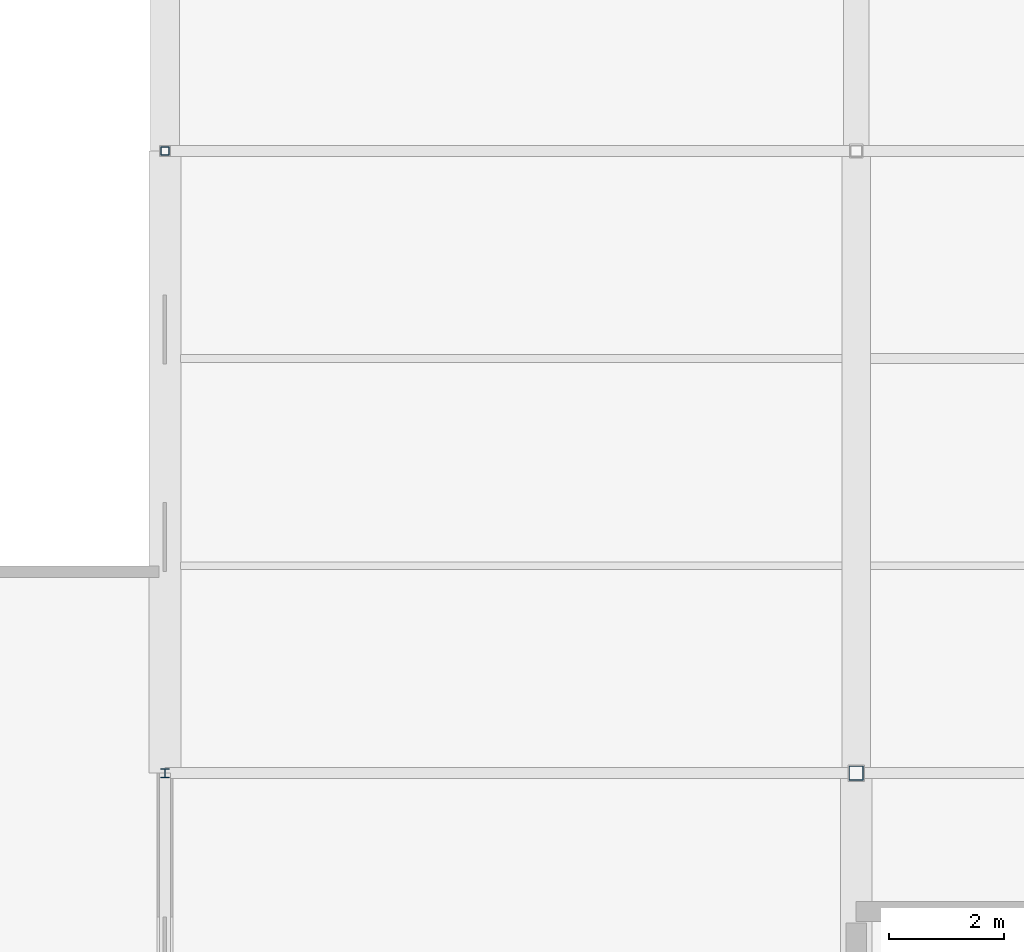
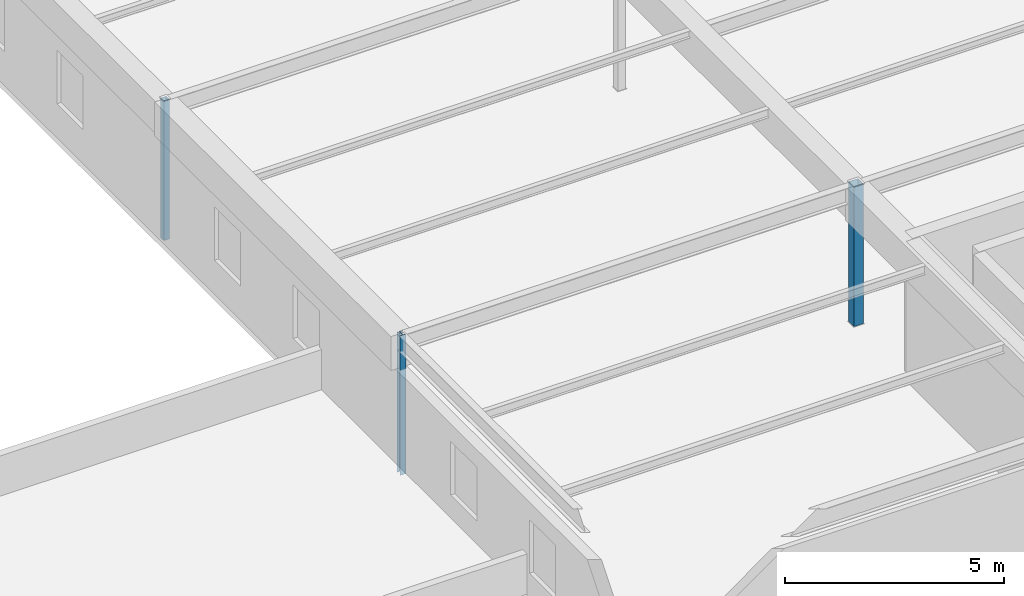
# One storey, part 23 of 128: 3 columns.
"""IFC4 building model written with IfcOpenShell, lengths in metres."""

from ifc_helpers import new_model, si_unit, direction, frame, origin, origin_2d, place, context, subcontext, project, spatial, hollow_rectangle, i_section, extrude, material, material_profile, profile_set, type_object, element, save


model = new_model("IFC4")

# Units and contexts
model_context = context("Model", 3, precision=1e-05, world=origin(), true_north=direction((0.0, 1.0)))
body_context = subcontext(model_context, "Body", "Model", "MODEL_VIEW")
ifc_project = project(units=[si_unit("LENGTHUNIT", "METRE"), si_unit("AREAUNIT", "SQUARE_METRE"), si_unit("VOLUMEUNIT", "CUBIC_METRE"), si_unit("PLANEANGLEUNIT", "RADIAN"), si_unit("MASSUNIT", "GRAM", prefix="KILO")], contexts=[model_context])

# Site, building, storey
site_placement = place(None, origin())
site = spatial("IfcSite", under=ifc_project, at=site_placement, CompositionType="ELEMENT")
building_placement = place(site_placement, origin())
building = spatial("IfcBuilding", under=site, at=building_placement, Name="Tarnwether General Hospital", CompositionType="ELEMENT")
storey_placement = place(building_placement, frame((0.0, 0.0, 14.39990234375)))
storey = spatial("IfcBuildingStorey", under=building, at=storey_placement, Name="L03", CompositionType="ELEMENT", Elevation=14.39990234375)

# Columns
ifc_material_1 = material(Name="Steel Grade C350L0 (350 MPa)", Category="steel")
ifc_material_profile_1 = material_profile(ifc_material_1, hollow_rectangle(XDim=0.25, YDim=0.25, WallThickness=0.012451171875, at=origin_2d()), Name="SHS250x250x12.5")
ifc_profile_set_1 = profile_set([ifc_material_profile_1], Name="Steel Grade C350L0 (350 MPa)")
column_type_1 = type_object("IfcColumnType", Name="COL-14", PredefinedType="COLUMN", material=ifc_profile_set_1)
column_1_placement = place(storey_placement, frame((156.0, 104.39990234375, 0.0), z_axis=(0.0, 0.0, 1.0), x_axis=(0.0, 1.0, 0.0)))
element("IfcColumn", 1, at=column_1_placement, inside=storey, type_object=column_type_1, Name="Column COLG-L03-15600_10440", PredefinedType="COLUMN", context=body_context, shape_type="SweptSolid", body=[
    extrude(hollow_rectangle(XDim=0.25, YDim=0.25, WallThickness=0.012451171875, at=origin_2d()), origin(), (0.0, 0.0, 1.0), 3.900146484375),
])
ifc_material_2 = material(Name="Steel Grade 350 (350 MPa)", Category="steel")
ifc_material_profile_2 = material_profile(ifc_material_2, i_section(OverallWidth=0.152099609375, OverallDepth=0.152099609375, WebThickness=0.006103515625, FlangeThickness=0.0068359375, at=origin_2d()), Name="150UC23.4")
ifc_profile_set_2 = profile_set([ifc_material_profile_2], Name="Steel Grade 350 (350 MPa)")
column_type_2 = type_object("IfcColumnType", Name="COL-32", PredefinedType="COLUMN", material=ifc_profile_set_2)
column_2_placement = place(storey_placement, frame((144.0, 104.39990234375, 0.0), z_axis=(0.0, 0.0, 1.0), x_axis=(1.0, 0.0, 0.0)))
element("IfcColumn", 2, at=column_2_placement, inside=storey, type_object=column_type_2, Name="Column COLG-L03-14400_10440", PredefinedType="COLUMN", context=body_context, shape_type="SweptSolid", body=[
    extrude(i_section(OverallWidth=0.152099609375, OverallDepth=0.152099609375, WebThickness=0.006103515625, FlangeThickness=0.0068359375, at=origin_2d()), origin(), (0.0, 0.0, 1.0), 3.900146484375),
])
ifc_material_3 = material(Name="Steel Grade C350L0 (350 MPa)", Category="steel")
ifc_material_profile_3 = material_profile(ifc_material_3, hollow_rectangle(XDim=0.14990234375, YDim=0.14990234375, WallThickness=0.008056640625, at=origin_2d()), Name="SHS150x150x8")
ifc_profile_set_3 = profile_set([ifc_material_profile_3], Name="Steel Grade C350L0 (350 MPa)")
column_type_3 = type_object("IfcColumnType", Name="COL-33", PredefinedType="COLUMN", material=ifc_profile_set_3)
column_3_placement = place(storey_placement, frame((144.0, 115.199951171875, 0.0), z_axis=(0.0, 0.0, 1.0), x_axis=(1.0, 0.0, 0.0)))
element("IfcColumn", 3, at=column_3_placement, inside=storey, type_object=column_type_3, Name="Column COLG-L03-14400_11520", PredefinedType="COLUMN", context=body_context, shape_type="SweptSolid", body=[
    extrude(hollow_rectangle(XDim=0.14990234375, YDim=0.14990234375, WallThickness=0.008056640625, at=origin_2d()), origin(), (0.0, 0.0, 1.0), 3.900146484375),
])

save(model, "model.ifc")
